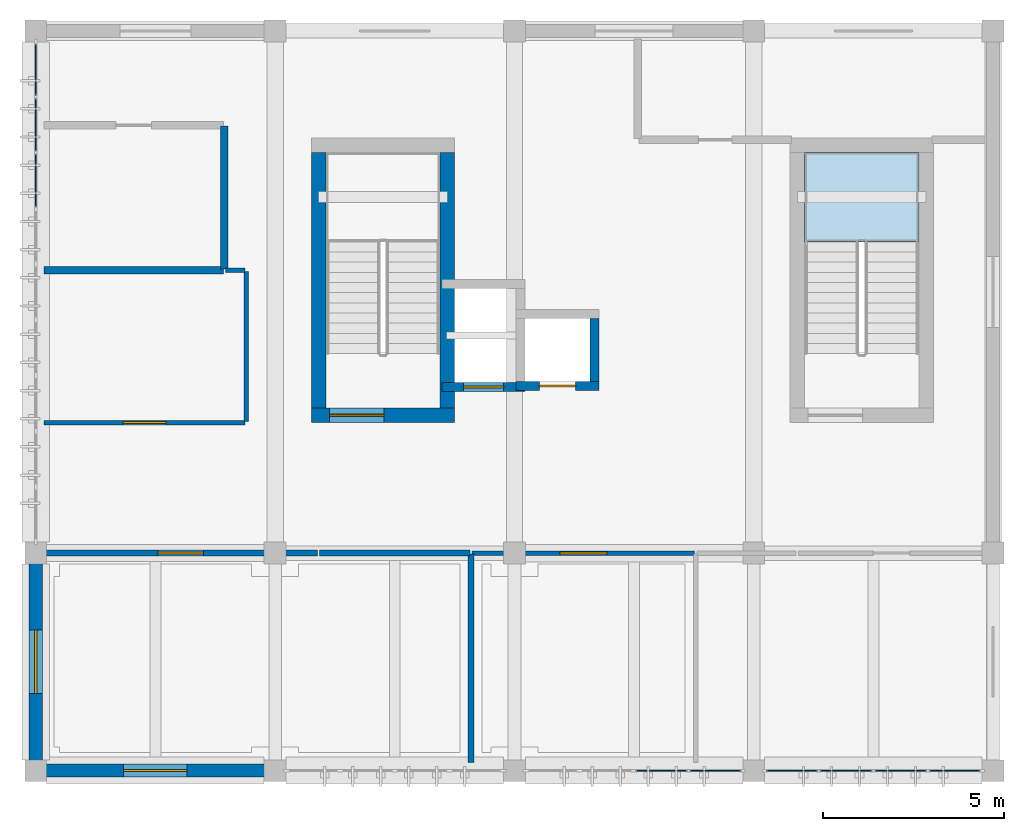
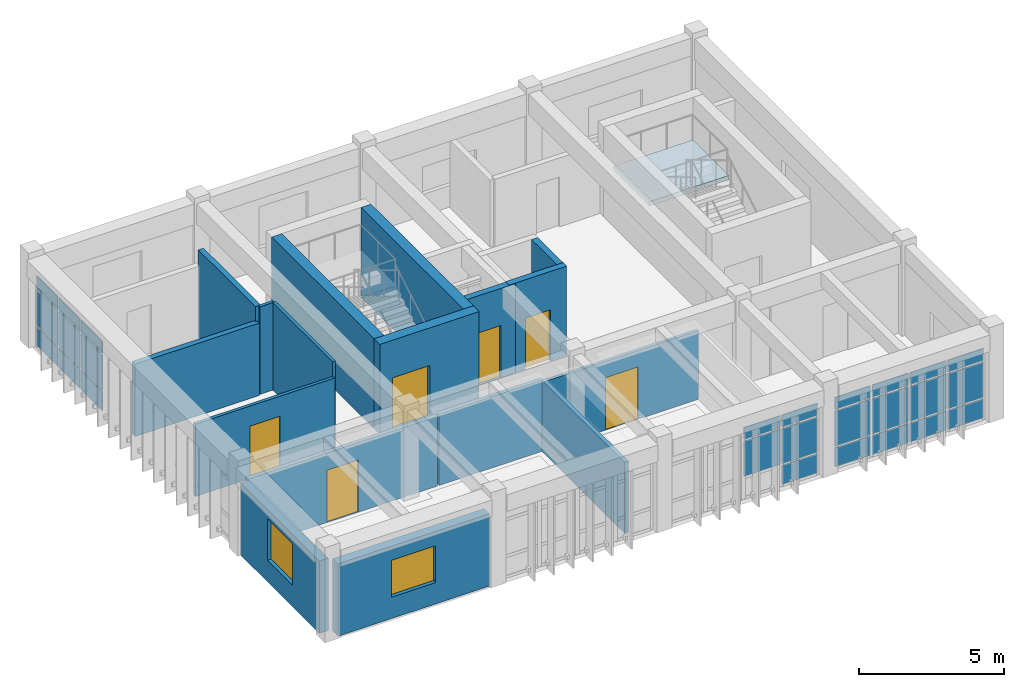
# One storey, part 4 of 7: 26 plates, 17 walls, 6 doors, 2 windows, 1 slab, 8 openings, 4 elements without a shape of their own.
"""IFC4 building model written with IfcOpenShell, lengths in metres."""

from ifc_helpers import new_model, si_unit, direction, frame, frame_2d, origin, origin_2d, place, context, subcontext, project, spatial, polyline, rectangle, outline, extrude, material, layer, layer_set, type_object, element, fill, aggregate, save


model = new_model("IFC4")

# Units and contexts
model_context = context("Model", 3, precision=1e-05, world=origin(), true_north=direction((0.0, 1.0)))
body_context = subcontext(model_context, "Body", "Model", "MODEL_VIEW")
ifc_project = project(units=[si_unit("LENGTHUNIT", "METRE"), si_unit("AREAUNIT", "SQUARE_METRE"), si_unit("VOLUMEUNIT", "CUBIC_METRE"), si_unit("PLANEANGLEUNIT", "RADIAN"), si_unit("MASSUNIT", "GRAM", prefix="KILO")], contexts=[model_context])

# Site, building, storey
site_placement = place(None, origin())
site = spatial("IfcSite", under=ifc_project, at=site_placement, CompositionType="ELEMENT")
building_placement = place(site_placement, origin())
building = spatial("IfcBuilding", under=site, at=building_placement, Name="Miralva Faculty of Natural Sciences", CompositionType="ELEMENT")
storey_placement = place(building_placement, frame((0.0, 0.0, 40.60009765625)))
storey = spatial("IfcBuildingStorey", under=building, at=storey_placement, Name="L09", CompositionType="ELEMENT", Elevation=40.60009765625)

# Curtain wall, plates
ifc_material_1 = material(Name="Laminated solar-control glass", Category="glass")
ifc_layer_1 = layer(ifc_material_1, 0.179931640625, Name="CW-TWR-L07")
ifc_layer_set_1 = layer_set([ifc_layer_1], Name="Laminated solar-control glass")
curtain_wall_type = type_object("IfcCurtainWallType", Name="CW-TWR-L07", PredefinedType="USERDEFINED", material=ifc_layer_set_1)
curtain_wall_1_placement = place(storey_placement, origin())
curtain_wall_1 = element("IfcCurtainWall", 1, at=curtain_wall_1_placement, inside=storey, type_object=curtain_wall_type, Name="Curtain wall CW-15 L09-252", ObjectType="UNITISED CURTAIN WALL", PredefinedType="USERDEFINED")
ifc_layer_2 = layer(ifc_material_1, 0.028076171875, Name="PNL-P01")
ifc_layer_set_2 = layer_set([ifc_layer_2], Name="Laminated solar-control glass")
plate_type = type_object("IfcPlateType", Name="PNL-P01", PredefinedType="CURTAIN_PANEL", material=ifc_layer_set_2)
plate_1_placement = place(storey_placement, frame((20.253662109375, 3.0, 0.9296875), z_axis=(0.0, 0.0, 1.0), x_axis=(1.0, 0.0, 0.0)))
plate_1 = element("IfcPlate", 2, at=plate_1_placement, type_object=plate_type, Name="CW-15 panel 3.2", PredefinedType="CURTAIN_PANEL", context=body_context, shape_type="SweptSolid", body=[
    extrude(rectangle(XDim=1.4423828125, YDim=0.028076171875, at=origin_2d()), origin(), (0.0, 0.0, 1.0), 1.485107421875),
])
plate_2_placement = place(storey_placement, frame((20.253662109375, 3.0, 2.47509765625), z_axis=(0.0, 0.0, 1.0), x_axis=(1.0, 0.0, 0.0)))
plate_2 = element("IfcPlate", 3, at=plate_2_placement, type_object=plate_type, Name="CW-15 panel 3.3", PredefinedType="CURTAIN_PANEL", context=body_context, shape_type="SweptSolid", body=[
    extrude(rectangle(XDim=1.4423828125, YDim=0.028076171875, at=origin_2d()), origin(), (0.0, 0.0, 1.0), 0.510009765625),
])
plate_3_placement = place(storey_placement, frame((21.7451171875, 3.0, 0.059814453125), z_axis=(0.0, 0.0, 1.0), x_axis=(1.0, 0.0, 0.0)))
plate_3 = element("IfcPlate", 4, at=plate_3_placement, type_object=plate_type, Name="CW-15 panel 4.1", PredefinedType="CURTAIN_PANEL", context=body_context, shape_type="SweptSolid", body=[
    extrude(rectangle(XDim=1.409912109375, YDim=0.028076171875, at=origin_2d()), origin(), (0.0, 0.0, 1.0), 0.81005859375),
])
plate_4_placement = place(storey_placement, frame((21.7451171875, 3.0, 0.9296875), z_axis=(0.0, 0.0, 1.0), x_axis=(1.0, 0.0, 0.0)))
plate_4 = element("IfcPlate", 5, at=plate_4_placement, type_object=plate_type, Name="CW-15 panel 4.2", PredefinedType="CURTAIN_PANEL", context=body_context, shape_type="SweptSolid", body=[
    extrude(rectangle(XDim=1.409912109375, YDim=0.028076171875, at=origin_2d()), origin(), (0.0, 0.0, 1.0), 1.485107421875),
])
plate_5_placement = place(storey_placement, frame((21.7451171875, 3.0, 2.47509765625), z_axis=(0.0, 0.0, 1.0), x_axis=(1.0, 0.0, 0.0)))
plate_5 = element("IfcPlate", 6, at=plate_5_placement, type_object=plate_type, Name="CW-15 panel 4.3", PredefinedType="CURTAIN_PANEL", context=body_context, shape_type="SweptSolid", body=[
    extrude(rectangle(XDim=1.409912109375, YDim=0.028076171875, at=origin_2d()), origin(), (0.0, 0.0, 1.0), 0.510009765625),
])
aggregate(curtain_wall_1, [plate_1, plate_2, plate_3, plate_4, plate_5])

curtain_wall_2_placement = place(storey_placement, origin())
curtain_wall_2 = element("IfcCurtainWall", 7, at=curtain_wall_2_placement, inside=storey, type_object=curtain_wall_type, Name="Curtain wall CW-15 L09-253", ObjectType="UNITISED CURTAIN WALL", PredefinedType="USERDEFINED")
plate_6_placement = place(storey_placement, frame((23.85498046875, 3.0, 0.059814453125), z_axis=(0.0, 0.0, 1.0), x_axis=(1.0, 0.0, 0.0)))
plate_6 = element("IfcPlate", 8, at=plate_6_placement, type_object=plate_type, Name="CW-15 panel 1.1", PredefinedType="CURTAIN_PANEL", context=body_context, shape_type="SweptSolid", body=[
    extrude(rectangle(XDim=1.409912109375, YDim=0.028076171875, at=origin_2d()), origin(), (0.0, 0.0, 1.0), 0.81005859375),
])
plate_7_placement = place(storey_placement, frame((23.85498046875, 3.0, 0.9296875), z_axis=(0.0, 0.0, 1.0), x_axis=(1.0, 0.0, 0.0)))
plate_7 = element("IfcPlate", 9, at=plate_7_placement, type_object=plate_type, Name="CW-15 panel 1.2", PredefinedType="CURTAIN_PANEL", context=body_context, shape_type="SweptSolid", body=[
    extrude(rectangle(XDim=1.409912109375, YDim=0.028076171875, at=origin_2d()), origin(), (0.0, 0.0, 1.0), 1.485107421875),
])
plate_8_placement = place(storey_placement, frame((23.85498046875, 3.0, 2.47509765625), z_axis=(0.0, 0.0, 1.0), x_axis=(1.0, 0.0, 0.0)))
plate_8 = element("IfcPlate", 10, at=plate_8_placement, type_object=plate_type, Name="CW-15 panel 1.3", PredefinedType="CURTAIN_PANEL", context=body_context, shape_type="SweptSolid", body=[
    extrude(rectangle(XDim=1.409912109375, YDim=0.028076171875, at=origin_2d()), origin(), (0.0, 0.0, 1.0), 0.510009765625),
])
plate_9_placement = place(storey_placement, frame((25.34619140625, 3.0, 0.059814453125), z_axis=(0.0, 0.0, 1.0), x_axis=(1.0, 0.0, 0.0)))
plate_9 = element("IfcPlate", 11, at=plate_9_placement, type_object=plate_type, Name="CW-15 panel 2.1", PredefinedType="CURTAIN_PANEL", context=body_context, shape_type="SweptSolid", body=[
    extrude(rectangle(XDim=1.4423828125, YDim=0.028076171875, at=origin_2d()), origin(), (0.0, 0.0, 1.0), 0.81005859375),
])
plate_10_placement = place(storey_placement, frame((25.34619140625, 3.0, 0.9296875), z_axis=(0.0, 0.0, 1.0), x_axis=(1.0, 0.0, 0.0)))
plate_10 = element("IfcPlate", 12, at=plate_10_placement, type_object=plate_type, Name="CW-15 panel 2.2", PredefinedType="CURTAIN_PANEL", context=body_context, shape_type="SweptSolid", body=[
    extrude(rectangle(XDim=1.4423828125, YDim=0.028076171875, at=origin_2d()), origin(), (0.0, 0.0, 1.0), 1.485107421875),
])
plate_11_placement = place(storey_placement, frame((25.34619140625, 3.0, 2.47509765625), z_axis=(0.0, 0.0, 1.0), x_axis=(1.0, 0.0, 0.0)))
plate_11 = element("IfcPlate", 13, at=plate_11_placement, type_object=plate_type, Name="CW-15 panel 2.3", PredefinedType="CURTAIN_PANEL", context=body_context, shape_type="SweptSolid", body=[
    extrude(rectangle(XDim=1.4423828125, YDim=0.028076171875, at=origin_2d()), origin(), (0.0, 0.0, 1.0), 0.510009765625),
])
plate_12_placement = place(storey_placement, frame((26.853759765625, 3.0, 0.059814453125), z_axis=(0.0, 0.0, 1.0), x_axis=(1.0, 0.0, 0.0)))
plate_12 = element("IfcPlate", 14, at=plate_12_placement, type_object=plate_type, Name="CW-15 panel 3.1", PredefinedType="CURTAIN_PANEL", context=body_context, shape_type="SweptSolid", body=[
    extrude(rectangle(XDim=1.4423828125, YDim=0.028076171875, at=origin_2d()), origin(), (0.0, 0.0, 1.0), 0.81005859375),
])
plate_13_placement = place(storey_placement, frame((26.853759765625, 3.0, 0.9296875), z_axis=(0.0, 0.0, 1.0), x_axis=(1.0, 0.0, 0.0)))
plate_13 = element("IfcPlate", 15, at=plate_13_placement, type_object=plate_type, Name="CW-15 panel 3.2", PredefinedType="CURTAIN_PANEL", context=body_context, shape_type="SweptSolid", body=[
    extrude(rectangle(XDim=1.4423828125, YDim=0.028076171875, at=origin_2d()), origin(), (0.0, 0.0, 1.0), 1.485107421875),
])
plate_14_placement = place(storey_placement, frame((26.853759765625, 3.0, 2.47509765625), z_axis=(0.0, 0.0, 1.0), x_axis=(1.0, 0.0, 0.0)))
plate_14 = element("IfcPlate", 16, at=plate_14_placement, type_object=plate_type, Name="CW-15 panel 3.3", PredefinedType="CURTAIN_PANEL", context=body_context, shape_type="SweptSolid", body=[
    extrude(rectangle(XDim=1.4423828125, YDim=0.028076171875, at=origin_2d()), origin(), (0.0, 0.0, 1.0), 0.510009765625),
])
plate_15_placement = place(storey_placement, frame((28.344970703125, 3.0, 0.059814453125), z_axis=(0.0, 0.0, 1.0), x_axis=(1.0, 0.0, 0.0)))
plate_15 = element("IfcPlate", 17, at=plate_15_placement, type_object=plate_type, Name="CW-15 panel 4.1", PredefinedType="CURTAIN_PANEL", context=body_context, shape_type="SweptSolid", body=[
    extrude(rectangle(XDim=1.409912109375, YDim=0.028076171875, at=origin_2d()), origin(), (0.0, 0.0, 1.0), 0.81005859375),
])
plate_16_placement = place(storey_placement, frame((28.344970703125, 3.0, 0.9296875), z_axis=(0.0, 0.0, 1.0), x_axis=(1.0, 0.0, 0.0)))
plate_16 = element("IfcPlate", 18, at=plate_16_placement, type_object=plate_type, Name="CW-15 panel 4.2", PredefinedType="CURTAIN_PANEL", context=body_context, shape_type="SweptSolid", body=[
    extrude(rectangle(XDim=1.409912109375, YDim=0.028076171875, at=origin_2d()), origin(), (0.0, 0.0, 1.0), 1.485107421875),
])
plate_17_placement = place(storey_placement, frame((28.344970703125, 3.0, 2.47509765625), z_axis=(0.0, 0.0, 1.0), x_axis=(1.0, 0.0, 0.0)))
plate_17 = element("IfcPlate", 19, at=plate_17_placement, type_object=plate_type, Name="CW-15 panel 4.3", PredefinedType="CURTAIN_PANEL", context=body_context, shape_type="SweptSolid", body=[
    extrude(rectangle(XDim=1.409912109375, YDim=0.028076171875, at=origin_2d()), origin(), (0.0, 0.0, 1.0), 0.510009765625),
])
aggregate(curtain_wall_2, [plate_6, plate_7, plate_8, plate_9, plate_10, plate_11, plate_12, plate_13, plate_14, plate_15, plate_16, plate_17])

curtain_wall_3_placement = place(storey_placement, origin())
curtain_wall_3 = element("IfcCurtainWall", 20, at=curtain_wall_3_placement, inside=storey, type_object=curtain_wall_type, Name="Curtain wall CW-15 L09-254", ObjectType="UNITISED CURTAIN WALL", PredefinedType="USERDEFINED")
plate_18_placement = place(storey_placement, frame((3.0, 19.2734375, 0.059814453125), z_axis=(0.0, 0.0, 1.0), x_axis=(0.0, 1.0, 0.0)))
plate_18 = element("IfcPlate", 21, at=plate_18_placement, type_object=plate_type, Name="CW-15 panel 7.1", PredefinedType="CURTAIN_PANEL", context=body_context, shape_type="SweptSolid", body=[
    extrude(rectangle(XDim=1.4716796875, YDim=0.028076171875, at=origin_2d()), origin(), (0.0, 0.0, 1.0), 0.81005859375),
])
plate_19_placement = place(storey_placement, frame((3.0, 19.2734375, 0.9296875), z_axis=(0.0, 0.0, 1.0), x_axis=(0.0, 1.0, 0.0)))
plate_19 = element("IfcPlate", 22, at=plate_19_placement, type_object=plate_type, Name="CW-15 panel 7.2", PredefinedType="CURTAIN_PANEL", context=body_context, shape_type="SweptSolid", body=[
    extrude(rectangle(XDim=1.4716796875, YDim=0.028076171875, at=origin_2d()), origin(), (0.0, 0.0, 1.0), 1.485107421875),
])
plate_20_placement = place(storey_placement, frame((3.0, 19.2734375, 2.47509765625), z_axis=(0.0, 0.0, 1.0), x_axis=(0.0, 1.0, 0.0)))
plate_20 = element("IfcPlate", 23, at=plate_20_placement, type_object=plate_type, Name="CW-15 panel 7.3", PredefinedType="CURTAIN_PANEL", context=body_context, shape_type="SweptSolid", body=[
    extrude(rectangle(XDim=1.4716796875, YDim=0.028076171875, at=origin_2d()), origin(), (0.0, 0.0, 1.0), 0.510009765625),
])
plate_21_placement = place(storey_placement, frame((3.0, 20.81005859375, 0.059814453125), z_axis=(0.0, 0.0, 1.0), x_axis=(0.0, 1.0, 0.0)))
plate_21 = element("IfcPlate", 24, at=plate_21_placement, type_object=plate_type, Name="CW-15 panel 8.1", PredefinedType="CURTAIN_PANEL", context=body_context, shape_type="SweptSolid", body=[
    extrude(rectangle(XDim=1.4716796875, YDim=0.028076171875, at=origin_2d()), origin(), (0.0, 0.0, 1.0), 0.81005859375),
])
plate_22_placement = place(storey_placement, frame((3.0, 20.81005859375, 0.9296875), z_axis=(0.0, 0.0, 1.0), x_axis=(0.0, 1.0, 0.0)))
plate_22 = element("IfcPlate", 25, at=plate_22_placement, type_object=plate_type, Name="CW-15 panel 8.2", PredefinedType="CURTAIN_PANEL", context=body_context, shape_type="SweptSolid", body=[
    extrude(rectangle(XDim=1.4716796875, YDim=0.028076171875, at=origin_2d()), origin(), (0.0, 0.0, 1.0), 1.485107421875),
])
plate_23_placement = place(storey_placement, frame((3.0, 20.81005859375, 2.47509765625), z_axis=(0.0, 0.0, 1.0), x_axis=(0.0, 1.0, 0.0)))
plate_23 = element("IfcPlate", 26, at=plate_23_placement, type_object=plate_type, Name="CW-15 panel 8.3", PredefinedType="CURTAIN_PANEL", context=body_context, shape_type="SweptSolid", body=[
    extrude(rectangle(XDim=1.4716796875, YDim=0.028076171875, at=origin_2d()), origin(), (0.0, 0.0, 1.0), 0.510009765625),
])
plate_24_placement = place(storey_placement, frame((3.0, 22.330322265625, 0.059814453125), z_axis=(0.0, 0.0, 1.0), x_axis=(0.0, 1.0, 0.0)))
plate_24 = element("IfcPlate", 27, at=plate_24_placement, type_object=plate_type, Name="CW-15 panel 9.1", PredefinedType="CURTAIN_PANEL", context=body_context, shape_type="SweptSolid", body=[
    extrude(rectangle(XDim=1.439208984375, YDim=0.028076171875, at=origin_2d()), origin(), (0.0, 0.0, 1.0), 0.81005859375),
])
plate_25_placement = place(storey_placement, frame((3.0, 22.330322265625, 0.9296875), z_axis=(0.0, 0.0, 1.0), x_axis=(0.0, 1.0, 0.0)))
plate_25 = element("IfcPlate", 28, at=plate_25_placement, type_object=plate_type, Name="CW-15 panel 9.2", PredefinedType="CURTAIN_PANEL", context=body_context, shape_type="SweptSolid", body=[
    extrude(rectangle(XDim=1.439208984375, YDim=0.028076171875, at=origin_2d()), origin(), (0.0, 0.0, 1.0), 1.485107421875),
])
plate_26_placement = place(storey_placement, frame((3.0, 22.330322265625, 2.47509765625), z_axis=(0.0, 0.0, 1.0), x_axis=(0.0, 1.0, 0.0)))
plate_26 = element("IfcPlate", 29, at=plate_26_placement, type_object=plate_type, Name="CW-15 panel 9.3", PredefinedType="CURTAIN_PANEL", context=body_context, shape_type="SweptSolid", body=[
    extrude(rectangle(XDim=1.439208984375, YDim=0.028076171875, at=origin_2d()), origin(), (0.0, 0.0, 1.0), 0.510009765625),
])
aggregate(curtain_wall_3, [plate_18, plate_19, plate_20, plate_21, plate_22, plate_23, plate_24, plate_25, plate_26])

# Stair, slab
ifc_material_2 = material(Name="Concrete C40/50", Category="concrete")
stair_type = type_object("IfcStairType", Name="ST-CORE-450", PredefinedType="HALF_TURN_STAIR", material=ifc_material_2)
stair_placement = place(storey_placement, origin())
stair = element("IfcStair", 30, at=stair_placement, inside=storey, type_object=stair_type, Name="Exit Stair Core C1B (ST-03) L09", PredefinedType="HALF_TURN_STAIR")
ifc_layer_3 = layer(ifc_material_2, 0.18994140625, Name="SL-LD01")
ifc_layer_set_3 = layer_set([ifc_layer_3], Name="Concrete C40/50")
slab_type = type_object("IfcSlabType", Name="SL-LD01", PredefinedType="LANDING", material=ifc_layer_set_3)
slab_placement = place(storey_placement, frame((0.0, 0.0, 1.809814453125)))
slab = element("IfcSlab", 31, at=slab_placement, type_object=slab_type, Name="ST-03 landing 1", PredefinedType="LANDING", context=body_context, shape_type="SweptSolid", body=[
    extrude(outline(polyline([(27.35009765625, 17.580078125), (27.35009765625, 20.050048828125), (24.199951171875, 20.050048828125), (24.199951171875, 17.580078125), (27.35009765625, 17.580078125)])), origin(), (0.0, 0.0, 1.0), 0.190185546875),
])
aggregate(stair, [slab])

# Wall, opening, door
ifc_material_3 = material(Name="Concrete C50/60", Category="concrete")
ifc_layer_4 = layer(ifc_material_3, 0.39990234375, Name="WL-CW01")
ifc_layer_set_4 = layer_set([ifc_layer_4], Name="Concrete C50/60")
wall_type_1 = type_object("IfcWallType", Name="WL-CW01", PredefinedType="SHEAR", material=ifc_layer_set_4)
wall_1_placement = place(storey_placement, frame((10.60009765625, 12.800048828125, 0.0), z_axis=(0.0, 0.0, 1.0), x_axis=(1.0, 0.0, 0.0)))
wall_1 = element("IfcWall", 32, at=wall_1_placement, inside=storey, type_object=wall_type_1, Name="Core C1 shear wall south L09", PredefinedType="SHEAR", context=body_context, shape_type="SweptSolid", body=[
    extrude(rectangle(XDim=3.949951171875, YDim=0.39990234375, at=frame_2d((1.97509765625, 0.0))), origin(), (0.0, 0.0, 1.0), 3.77978515625),
])
opening_1_placement = place(wall_1_placement, frame((0.5, 0.0, 0.0)))
opening_1 = element("IfcOpeningElement", 33, at=opening_1_placement, cuts=wall_1, Name="Opening D-11", PredefinedType="OPENING", context=body_context, shape_type="SweptSolid", body=[
    extrude(rectangle(XDim=1.5, YDim=2.199951171875, at=frame_2d((0.75, 1.10009765625))), frame((0.0, 0.2099609375, 0.0), z_axis=(0.0, -1.0, 0.0), x_axis=(1.0, 0.0, 0.0)), (0.0, 0.0, 1.0), 0.419921875),
])
ifc_material_4 = material(Name="Galvanised steel", Category="steel")
door_type_1 = type_object("IfcDoorType", Name="DR-DI11", OperationType="DOUBLE_DOOR_SINGLE_SWING", PredefinedType="DOOR", material=ifc_material_4)
door_1_placement = place(opening_1_placement, frame((1.5, 0.0, 0.0), z_axis=(0.0, 0.0, 1.0), x_axis=(-1.0, 0.0, 0.0)))
door_1 = element("IfcDoor", 34, at=door_1_placement, inside=storey, type_object=door_type_1, Name="Protected exit stair door Core C1 L09", OperationType="DOUBLE_DOOR_SINGLE_SWING", OverallHeight=2.199951171875, OverallWidth=1.5, PredefinedType="DOOR", context=body_context, shape_type="SweptSolid", body=[
    extrude(rectangle(XDim=1.5, YDim=2.199951171875, at=frame_2d((0.75, 1.10009765625))), frame((0.0, 0.02490234375, 0.0), z_axis=(0.0, -1.0, 0.0), x_axis=(1.0, 0.0, 0.0)), (0.0, 0.0, 1.0), 0.050048828125),
])
fill(opening_1, door_1)

# Walls
for number, where, z_axis, x_axis, name in (
    (35, (10.800048828125, 13.0, 0.0), (0.0, 0.0, 1.0), (0.0, 1.0, 0.0), "Core C1 shear wall west L09"),
    (36, (14.35009765625, 13.0, 0.0), (0.0, 0.0, 1.0), (0.0, 1.0, 0.0), "Core C1 shear wall east L09"),
):
    element("IfcWall", number, at=place(storey_placement, frame(where, z_axis=z_axis, x_axis=x_axis)), inside=storey, type_object=wall_type_1, Name=name, PredefinedType="SHEAR", context=body_context, shape_type="SweptSolid", body=[
        extrude(rectangle(XDim=7.050048828125, YDim=0.39990234375, at=frame_2d((3.52490234375, 0.0))), origin(), (0.0, 0.0, 1.0), 3.77978515625),
    ])

# Wall, opening, door
ifc_layer_5 = layer(ifc_material_2, 0.25, Name="WL-CW04")
ifc_layer_set_5 = layer_set([ifc_layer_5], Name="Concrete C40/50")
wall_type_2 = type_object("IfcWallType", Name="WL-CW04", PredefinedType="SHEAR", material=ifc_layer_set_5)
wall_2_placement = place(storey_placement, frame((14.205078125, 13.580078125, 0.0), z_axis=(0.0, 0.0, 1.0), x_axis=(1.0, 0.0, 0.0)))
wall_2 = element("IfcWall", 37, at=wall_2_placement, inside=storey, type_object=wall_type_2, Name="Lift L-01 hoistway front wall L09", PredefinedType="SHEAR", context=body_context, shape_type="SweptSolid", body=[
    extrude(rectangle(XDim=2.2900390625, YDim=0.25, at=frame_2d((1.14501953125, 0.0))), origin(), (0.0, 0.0, 1.0), 3.760009765625),
])
opening_2_placement = place(wall_2_placement, frame((0.594970703125, 0.0, 0.0)))
opening_2 = element("IfcOpeningElement", 38, at=opening_2_placement, cuts=wall_2, Name="Opening LD-01", PredefinedType="OPENING", context=body_context, shape_type="SweptSolid", body=[
    extrude(rectangle(XDim=1.10009765625, YDim=2.199951171875, at=frame_2d((0.550048828125, 1.10009765625))), frame((0.0, 0.135009765625, 0.0), z_axis=(0.0, -1.0, 0.0), x_axis=(1.0, 0.0, 0.0)), (0.0, 0.0, 1.0), 0.27001953125),
])
door_type_2 = type_object("IfcDoorType", Name="DR-LD01", OperationType="SLIDING_TO_LEFT", PredefinedType="DOOR", material=ifc_material_4)
door_2_placement = place(opening_2_placement, frame((1.10009765625, 0.0, 0.0), z_axis=(0.0, 0.0, 1.0), x_axis=(-1.0, 0.0, 0.0)))
door_2 = element("IfcDoor", 39, at=door_2_placement, inside=storey, type_object=door_type_2, Name="Lift L-01 sliding landing door L09", OperationType="SLIDING_TO_LEFT", OverallHeight=2.199951171875, OverallWidth=1.10009765625, PredefinedType="DOOR", context=body_context, shape_type="SweptSolid", body=[
    extrude(rectangle(XDim=1.10009765625, YDim=2.199951171875, at=frame_2d((0.550048828125, 1.10009765625))), frame((0.0, 0.02490234375, 0.0), z_axis=(0.0, -1.0, 0.0), x_axis=(1.0, 0.0, 0.0)), (0.0, 0.0, 1.0), 0.050048828125),
])
fill(opening_2, door_2)

wall_3_placement = place(storey_placement, frame((16.2451171875, 13.60498046875, 0.0), z_axis=(0.0, 0.0, 1.0), x_axis=(1.0, 0.0, 0.0)))
wall_3 = element("IfcWall", 40, at=wall_3_placement, inside=storey, type_object=wall_type_2, Name="Lift L-02 hoistway front wall L09", PredefinedType="SHEAR", context=body_context, shape_type="SweptSolid", body=[
    extrude(rectangle(XDim=2.289794921875, YDim=0.25, at=frame_2d((1.14501953125, 0.0))), origin(), (0.0, 0.0, 1.0), 3.760009765625),
])
opening_3_placement = place(wall_3_placement, frame((0.64501953125, 0.0, 0.0)))
opening_3 = element("IfcOpeningElement", 41, at=opening_3_placement, cuts=wall_3, Name="Opening LD-02", PredefinedType="OPENING", context=body_context, shape_type="SweptSolid", body=[
    extrude(rectangle(XDim=1.0, YDim=2.14990234375, at=frame_2d((0.5, 1.074951171875))), frame((0.0, 0.135009765625, 0.0), z_axis=(0.0, -1.0, 0.0), x_axis=(1.0, 0.0, 0.0)), (0.0, 0.0, 1.0), 0.27001953125),
])
door_type_3 = type_object("IfcDoorType", Name="DR-LD02", OperationType="SLIDING_TO_LEFT", PredefinedType="DOOR", material=ifc_material_4)
door_3_placement = place(opening_3_placement, frame((1.0, 0.0, 0.0), z_axis=(0.0, 0.0, 1.0), x_axis=(-1.0, 0.0, 0.0)))
door_3 = element("IfcDoor", 42, at=door_3_placement, inside=storey, type_object=door_type_3, Name="Lift L-02 sliding landing door L09", OperationType="SLIDING_TO_LEFT", OverallHeight=2.14990234375, OverallWidth=1.0, PredefinedType="DOOR", context=body_context, shape_type="SweptSolid", body=[
    extrude(rectangle(XDim=1.0, YDim=2.14990234375, at=frame_2d((0.5, 1.074951171875))), frame((0.0, 0.02490234375, 0.0), z_axis=(0.0, -1.0, 0.0), x_axis=(1.0, 0.0, 0.0)), (0.0, 0.0, 1.0), 0.050048828125),
])
fill(opening_3, door_3)

# Walls
wall_4_placement = place(storey_placement, frame((18.409912109375, 13.72998046875, 0.0), z_axis=(0.0, 0.0, 1.0), x_axis=(0.0, 1.0, 0.0)))
element("IfcWall", 43, at=wall_4_placement, inside=storey, type_object=wall_type_2, Name="Lift L-02 hoistway E wall L09", PredefinedType="SHEAR", context=body_context, shape_type="SweptSolid", body=[
    extrude(rectangle(XDim=1.739990234375, YDim=0.25, at=frame_2d((0.8701171875, 0.0))), origin(), (0.0, 0.0, 1.0), 3.760009765625),
])
ifc_material_5 = material(Name="Gypsum plasterboard")
ifc_layer_6 = layer(ifc_material_5, 0.159912109375, Name="WL-PT03")
ifc_layer_set_6 = layer_set([ifc_layer_6], Name="Gypsum plasterboard")
wall_type_3 = type_object("IfcWallType", Name="WL-PT03", PredefinedType="PARTITIONING", material=ifc_layer_set_6)
wall_5_placement = place(storey_placement, frame((15.0, 3.22998046875, 0.0), z_axis=(0.0, 0.0, 1.0), x_axis=(0.0, 1.0, 0.0)))
element("IfcWall", 44, at=wall_5_placement, inside=storey, type_object=wall_type_3, Name="Interior partition PT-03 L09-542", PredefinedType="PARTITIONING", context=body_context, shape_type="SweptSolid", body=[
    extrude(rectangle(XDim=5.739990234375, YDim=0.159912109375, at=frame_2d((2.8701171875, 0.0))), origin(), (0.0, 0.0, 1.0), 2.994873046875),
])

# Wall, opening, door
wall_6_placement = place(storey_placement, frame((3.22998046875, 9.0, 0.0), z_axis=(0.0, 0.0, 1.0), x_axis=(1.0, 0.0, 0.0)))
wall_6 = element("IfcWall", 45, at=wall_6_placement, inside=storey, type_object=wall_type_3, Name="Interior partition PT-03 L09-543", PredefinedType="PARTITIONING", context=body_context, shape_type="SweptSolid", body=[
    extrude(rectangle(XDim=7.5400390625, YDim=0.159912109375, at=frame_2d((3.77001953125, 0.0))), origin(), (0.0, 0.0, 1.0), 2.9248046875),
])
opening_4_placement = place(wall_6_placement, frame((3.14501953125, 0.0, 0.0)))
opening_4 = element("IfcOpeningElement", 46, at=opening_4_placement, cuts=wall_6, Name="Opening D-23", PredefinedType="OPENING", context=body_context, shape_type="SweptSolid", body=[
    extrude(rectangle(XDim=1.25, YDim=2.199951171875, at=frame_2d((0.625, 1.10009765625))), frame((0.0, 0.08984375, 0.0), z_axis=(0.0, -1.0, 0.0), x_axis=(1.0, 0.0, 0.0)), (0.0, 0.0, 1.0), 0.179931640625),
])
ifc_material_6 = material(Name="Anodised aluminium", Category="aluminium")
door_type_4 = type_object("IfcDoorType", Name="DR-DI23", OperationType="NOTDEFINED", PredefinedType="DOOR", material=ifc_material_6)
door_4_placement = place(opening_4_placement, origin())
door_4 = element("IfcDoor", 47, at=door_4_placement, inside=storey, type_object=door_type_4, Name="Interior door D-23 L09-204", OperationType="SINGLE_SWING_RIGHT", OverallHeight=2.199951171875, OverallWidth=1.25, PredefinedType="DOOR", context=body_context, shape_type="SweptSolid", body=[
    extrude(rectangle(XDim=1.25, YDim=2.199951171875, at=frame_2d((0.625, 1.10009765625))), frame((0.0, 0.02490234375, 0.0), z_axis=(0.0, -1.0, 0.0), x_axis=(1.0, 0.0, 0.0)), (0.0, 0.0, 1.0), 0.050048828125),
])
fill(opening_4, door_4)

# Wall
wall_7_placement = place(storey_placement, frame((10.830078125, 9.0, 0.0), z_axis=(0.0, 0.0, 1.0), x_axis=(1.0, 0.0, 0.0)))
element("IfcWall", 48, at=wall_7_placement, inside=storey, type_object=wall_type_3, Name="Interior partition PT-03 L09-544", PredefinedType="PARTITIONING", context=body_context, shape_type="SweptSolid", body=[
    extrude(rectangle(XDim=4.139892578125, YDim=0.159912109375, at=frame_2d((2.06982421875, 0.0))), origin(), (0.0, 0.0, 1.0), 2.994873046875),
])

# Wall, opening, door
ifc_layer_7 = layer(ifc_material_5, 0.125, Name="WL-PT05")
ifc_layer_set_7 = layer_set([ifc_layer_7], Name="Gypsum plasterboard")
wall_type_4 = type_object("IfcWallType", Name="WL-PT05", PredefinedType="PARTITIONING", material=ifc_layer_set_7)
wall_8_placement = place(storey_placement, frame((15.030029296875, 9.0, 0.0), z_axis=(0.0, 0.0, 1.0), x_axis=(1.0, 0.0, 0.0)))
wall_8 = element("IfcWall", 49, at=wall_8_placement, inside=storey, type_object=wall_type_4, Name="Interior partition PT-05 L09-546", PredefinedType="PARTITIONING", context=body_context, shape_type="SweptSolid", body=[
    extrude(rectangle(XDim=6.139892578125, YDim=0.125, at=frame_2d((3.06982421875, 0.0))), origin(), (0.0, 0.0, 1.0), 2.885009765625),
])
opening_5_placement = place(wall_8_placement, frame((2.419921875, 0.0, 0.0)))
opening_5 = element("IfcOpeningElement", 50, at=opening_5_placement, cuts=wall_8, Name="Opening D-36", PredefinedType="OPENING", context=body_context, shape_type="SweptSolid", body=[
    extrude(rectangle(XDim=1.300048828125, YDim=2.199951171875, at=frame_2d((0.64990234375, 1.10009765625))), frame((0.0, 0.072509765625, 0.0), z_axis=(0.0, -1.0, 0.0), x_axis=(1.0, 0.0, 0.0)), (0.0, 0.0, 1.0), 0.14501953125),
])
door_type_5 = type_object("IfcDoorType", Name="DR-DI36", OperationType="NOTDEFINED", PredefinedType="DOOR", material=ifc_material_6)
door_5_placement = place(opening_5_placement, origin())
door_5 = element("IfcDoor", 51, at=door_5_placement, inside=storey, type_object=door_type_5, Name="Interior door D-36 L09-205", OperationType="SINGLE_SWING_LEFT", OverallHeight=2.199951171875, OverallWidth=1.300048828125, PredefinedType="DOOR", context=body_context, shape_type="SweptSolid", body=[
    extrude(rectangle(XDim=1.300048828125, YDim=2.199951171875, at=frame_2d((0.64990234375, 1.10009765625))), frame((0.0, 0.02490234375, 0.0), z_axis=(0.0, -1.0, 0.0), x_axis=(1.0, 0.0, 0.0)), (0.0, 0.0, 1.0), 0.050048828125),
])
fill(opening_5, door_5)

# Walls
wall_9_placement = place(storey_placement, frame((8.22998046875, 16.800048828125, 0.0), z_axis=(0.0, 0.0, 1.0), x_axis=(1.0, 0.0, 0.0)))
element("IfcWall", 52, at=wall_9_placement, inside=storey, type_object=wall_type_4, Name="Interior partition PT-05 L09-550", PredefinedType="PARTITIONING", context=body_context, shape_type="SweptSolid", body=[
    extrude(rectangle(XDim=0.5400390625, YDim=0.125, at=frame_2d((0.27001953125, 0.0))), origin(), (0.0, 0.0, 1.0), 3.679931640625),
])
wall_10_placement = place(storey_placement, frame((8.800048828125, 12.6298828125, 0.0), z_axis=(0.0, 0.0, 1.0), x_axis=(0.0, 1.0, 0.0)))
element("IfcWall", 53, at=wall_10_placement, inside=storey, type_object=wall_type_4, Name="Interior partition PT-05 L09-551", PredefinedType="PARTITIONING", context=body_context, shape_type="SweptSolid", body=[
    extrude(rectangle(XDim=4.14013671875, YDim=0.125, at=frame_2d((2.070068359375, 0.0))), origin(), (0.0, 0.0, 1.0), 3.679931640625),
])

# Wall, opening, door
wall_11_placement = place(storey_placement, frame((3.22998046875, 12.60009765625, 0.0), z_axis=(0.0, 0.0, 1.0), x_axis=(1.0, 0.0, 0.0)))
wall_11 = element("IfcWall", 54, at=wall_11_placement, inside=storey, type_object=wall_type_4, Name="Interior partition PT-05 L09-552", PredefinedType="PARTITIONING", context=body_context, shape_type="SweptSolid", body=[
    extrude(rectangle(XDim=5.5400390625, YDim=0.125, at=frame_2d((2.77001953125, 0.0))), origin(), (0.0, 0.0, 1.0), 3.044921875),
])
opening_6_placement = place(wall_11_placement, frame((2.179931640625, 0.0, 0.0)))
opening_6 = element("IfcOpeningElement", 55, at=opening_6_placement, cuts=wall_11, Name="Opening D-34", PredefinedType="OPENING", context=body_context, shape_type="SweptSolid", body=[
    extrude(rectangle(XDim=1.179931640625, YDim=2.199951171875, at=frame_2d((0.58984375, 1.10009765625))), frame((0.0, 0.072509765625, 0.0), z_axis=(0.0, -1.0, 0.0), x_axis=(1.0, 0.0, 0.0)), (0.0, 0.0, 1.0), 0.14501953125),
])
door_type_6 = type_object("IfcDoorType", Name="DR-DI34", OperationType="NOTDEFINED", PredefinedType="DOOR", material=ifc_material_6)
door_6_placement = place(opening_6_placement, origin())
door_6 = element("IfcDoor", 56, at=door_6_placement, inside=storey, type_object=door_type_6, Name="Interior door D-34 L09-207", OperationType="SINGLE_SWING_LEFT", OverallHeight=2.199951171875, OverallWidth=1.179931640625, PredefinedType="DOOR", context=body_context, shape_type="SweptSolid", body=[
    extrude(rectangle(XDim=1.179931640625, YDim=2.199951171875, at=frame_2d((0.58984375, 1.10009765625))), frame((0.0, 0.02490234375, 0.0), z_axis=(0.0, -1.0, 0.0), x_axis=(1.0, 0.0, 0.0)), (0.0, 0.0, 1.0), 0.050048828125),
])
fill(opening_6, door_6)

# Walls
ifc_layer_8 = layer(ifc_material_5, 0.2099609375, Name="WL-PT06")
ifc_layer_set_8 = layer_set([ifc_layer_8], Name="Gypsum plasterboard")
wall_type_5 = type_object("IfcWallType", Name="WL-PT06", PredefinedType="PLUMBINGWALL", material=ifc_layer_set_8)
wall_12_placement = place(storey_placement, frame((3.22998046875, 16.800048828125, 0.0), z_axis=(0.0, 0.0, 1.0), x_axis=(1.0, 0.0, 0.0)))
element("IfcWall", 57, at=wall_12_placement, inside=storey, type_object=wall_type_5, Name="Interior partition PT-06 L09-549", PredefinedType="PLUMBINGWALL", context=body_context, shape_type="SweptSolid", body=[
    extrude(rectangle(XDim=4.93994140625, YDim=0.2099609375, at=frame_2d((2.469970703125, 0.0))), origin(), (0.0, 0.0, 1.0), 3.044921875),
])
wall_13_placement = place(storey_placement, frame((8.199951171875, 16.830078125, 0.0), z_axis=(0.0, 0.0, 1.0), x_axis=(0.0, 1.0, 0.0)))
element("IfcWall", 58, at=wall_13_placement, inside=storey, type_object=wall_type_5, Name="Interior partition PT-06 L09-554", PredefinedType="PLUMBINGWALL", context=body_context, shape_type="SweptSolid", body=[
    extrude(rectangle(XDim=3.93994140625, YDim=0.2099609375, at=frame_2d((1.969970703125, 0.0))), origin(), (0.0, 0.0, 1.0), 3.679931640625),
])

# Wall, opening, window
ifc_material_7 = material(Name="Volcanic tuff architectural stone", Category="masonry")
ifc_layer_9 = layer(ifc_material_7, 0.360107421875, Name="WL-WT01")
ifc_layer_set_9 = layer_set([ifc_layer_9], Name="Volcanic tuff architectural stone")
wall_type_6 = type_object("IfcWallType", Name="WL-WT01", PredefinedType="SOLIDWALL", material=ifc_layer_set_9)
wall_14_placement = place(storey_placement, frame((3.284912109375, 3.0, 0.0), z_axis=(0.0, 0.0, 1.0), x_axis=(1.0, 0.0, 0.0)))
wall_14 = element("IfcWall", 59, at=wall_14_placement, inside=storey, type_object=wall_type_6, Name="Exterior wall L09-134", PredefinedType="SOLIDWALL", context=body_context, shape_type="SweptSolid", body=[
    extrude(rectangle(XDim=6.030029296875, YDim=0.360107421875, at=frame_2d((3.01513671875, 0.0))), origin(), (0.0, 0.0, 1.0), 3.044921875),
])
opening_7_placement = place(wall_14_placement, frame((2.139892578125, 0.0, 0.89990234375)))
opening_7 = element("IfcOpeningElement", 60, at=opening_7_placement, cuts=wall_14, Name="Opening W-63", PredefinedType="OPENING", context=body_context, shape_type="SweptSolid", body=[
    extrude(rectangle(XDim=1.75, YDim=1.550048828125, at=frame_2d((0.875, 0.77490234375))), frame((0.0, 0.18994140625, 0.0), z_axis=(0.0, -1.0, 0.0), x_axis=(1.0, 0.0, 0.0)), (0.0, 0.0, 1.0), 0.380126953125),
])
window_type_1 = type_object("IfcWindowType", Name="WN-W63", PartitioningType="DOUBLE_PANEL_VERTICAL", PredefinedType="WINDOW", material=ifc_material_1)
window_1_placement = place(opening_7_placement, frame((1.75, 0.0, 0.0), z_axis=(0.0, 0.0, 1.0), x_axis=(-1.0, 0.0, 0.0)))
window_1 = element("IfcWindow", 61, at=window_1_placement, inside=storey, type_object=window_type_1, Name="Window W-63 L09-77", OverallHeight=1.550048828125, OverallWidth=1.75, PartitioningType="DOUBLE_PANEL_VERTICAL", PredefinedType="WINDOW", context=body_context, shape_type="SweptSolid", body=[
    extrude(rectangle(XDim=1.75, YDim=1.550048828125, at=frame_2d((0.875, 0.77490234375))), frame((0.0, 0.030029296875, 0.0), z_axis=(0.0, -1.0, 0.0), x_axis=(1.0, 0.0, 0.0)), (0.0, 0.0, 1.0), 0.06005859375),
])
fill(opening_7, window_1)

wall_15_placement = place(storey_placement, frame((3.0, 3.284912109375, 0.0), z_axis=(0.0, 0.0, 1.0), x_axis=(0.0, 1.0, 0.0)))
wall_15 = element("IfcWall", 62, at=wall_15_placement, inside=storey, type_object=wall_type_6, Name="Exterior wall L09-135", PredefinedType="SOLIDWALL", context=body_context, shape_type="SweptSolid", body=[
    extrude(rectangle(XDim=5.43017578125, YDim=0.360107421875, at=frame_2d((2.715087890625, 0.0))), origin(), (0.0, 0.0, 1.0), 3.044921875),
])
opening_8_placement = place(wall_15_placement, frame((1.840087890625, 0.0, 0.89990234375)))
opening_8 = element("IfcOpeningElement", 63, at=opening_8_placement, cuts=wall_15, Name="Opening W-64", PredefinedType="OPENING", context=body_context, shape_type="SweptSolid", body=[
    extrude(rectangle(XDim=1.75, YDim=1.75, at=frame_2d((0.875, 0.875))), frame((0.0, 0.18994140625, 0.0), z_axis=(0.0, -1.0, 0.0), x_axis=(1.0, 0.0, 0.0)), (0.0, 0.0, 1.0), 0.380126953125),
])
window_type_2 = type_object("IfcWindowType", Name="WN-W64", PartitioningType="DOUBLE_PANEL_VERTICAL", PredefinedType="WINDOW", material=ifc_material_1)
window_2_placement = place(opening_8_placement, origin())
window_2 = element("IfcWindow", 64, at=window_2_placement, inside=storey, type_object=window_type_2, Name="Window W-64 L09-78", OverallHeight=1.75, OverallWidth=1.75, PartitioningType="DOUBLE_PANEL_VERTICAL", PredefinedType="WINDOW", context=body_context, shape_type="SweptSolid", body=[
    extrude(rectangle(XDim=1.75, YDim=1.75, at=frame_2d((0.875, 0.875))), frame((0.0, 0.030029296875, 0.0), z_axis=(0.0, -1.0, 0.0), x_axis=(1.0, 0.0, 0.0)), (0.0, 0.0, 1.0), 0.06005859375),
])
fill(opening_8, window_2)

save(model, "model.ifc")
